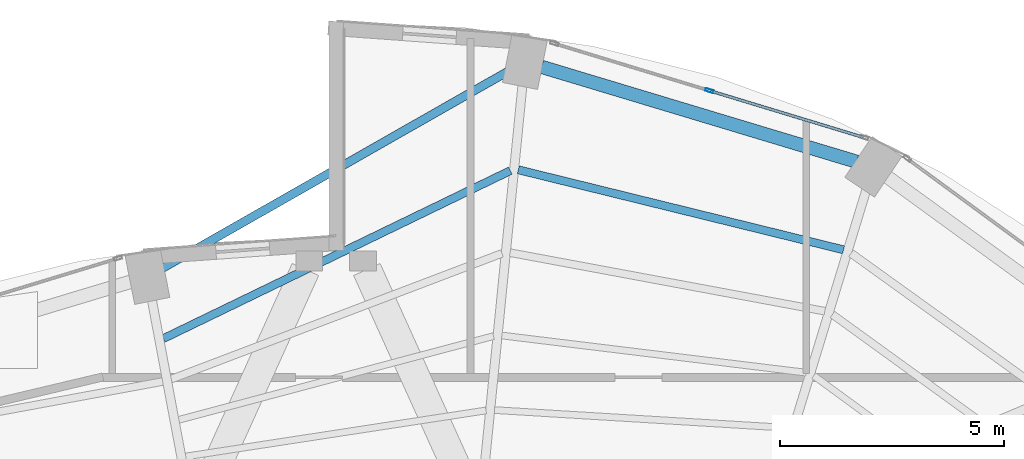
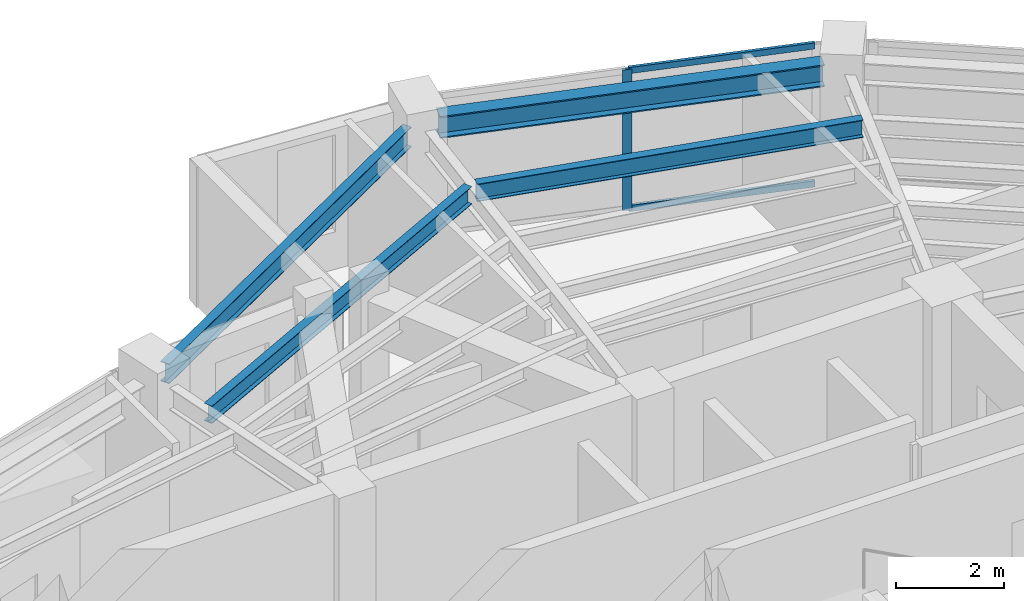
# One storey, part 16 of 22: 4 beams, 3 members, 1 element without a shape of its own.
"""IFC4 building model written with IfcOpenShell, lengths in metres."""

from ifc_helpers import new_model, si_unit, direction, frame, origin, origin_2d, place, context, subcontext, project, spatial, hollow_rectangle, i_section, extrude, material, layer, layer_set, material_profile, profile_set, type_object, element, aggregate, save


model = new_model("IFC4")

# Units and contexts
model_context = context("Model", 3, precision=1e-05, world=origin(), true_north=direction((0.0, 1.0)))
body_context = subcontext(model_context, "Body", "Model", "MODEL_VIEW")
ifc_project = project(units=[si_unit("LENGTHUNIT", "METRE"), si_unit("AREAUNIT", "SQUARE_METRE"), si_unit("VOLUMEUNIT", "CUBIC_METRE"), si_unit("PLANEANGLEUNIT", "RADIAN"), si_unit("MASSUNIT", "GRAM", prefix="KILO")], contexts=[model_context])

# Site, building, storey
site_placement = place(None, origin())
site = spatial("IfcSite", under=ifc_project, at=site_placement, CompositionType="ELEMENT")
building_placement = place(site_placement, origin())
building = spatial("IfcBuilding", under=site, at=building_placement, Name="Lazwardi Medical Tower", CompositionType="ELEMENT")
storey_placement = place(building_placement, frame((0.0, 0.0, 242.256103515625)))
storey = spatial("IfcBuildingStorey", under=building, at=storey_placement, Name="L63", CompositionType="ELEMENT", Elevation=242.256103515625)

# Beams
ifc_material_1 = material(Name="Steel S355", Category="steel")
ifc_material_profile_1 = material_profile(ifc_material_1, i_section(OverallWidth=0.300048828125, OverallDepth=0.5, WebThickness=0.014404296875, FlangeThickness=0.028076171875, at=origin_2d()), Name="HEB 500")
ifc_profile_set_1 = profile_set([ifc_material_profile_1], Name="Steel S355")
beam_type_1 = type_object("IfcBeamType", Name="BM-RB-Z4", PredefinedType="BEAM", material=ifc_profile_set_1)
beam_1_placement = place(storey_placement, frame((47.626953125, 43.56640625, 2.947998046875), z_axis=(-0.957544311906, 0.288286126506, 0.0), x_axis=(-0.288286126506, -0.957544311906, 0.0)))
element("IfcBeam", 1, at=beam_1_placement, inside=storey, type_object=beam_type_1, Name="Ring beam RB-05 B07 L63", PredefinedType="BEAM", context=body_context, shape_type="SweptSolid", body=[
    extrude(i_section(OverallWidth=0.300048828125, OverallDepth=0.5, WebThickness=0.014404296875, FlangeThickness=0.028076171875, at=origin_2d()), origin(), (0.0, 0.0, 1.0), 7.3515625),
])
ifc_material_profile_2 = material_profile(ifc_material_1, i_section(OverallWidth=0.179931640625, OverallDepth=0.39990234375, WebThickness=0.008544921875, FlangeThickness=0.013427734375, at=origin_2d()), Name="IPE 400")
ifc_profile_set_2 = profile_set([ifc_material_profile_2], Name="Steel S355")
beam_type_2 = type_object("IfcBeamType", Name="BM-SJ-01", PredefinedType="JOIST", material=ifc_profile_set_2)
beam_2_placement = place(storey_placement, frame((47.334228515625, 41.59912109375, 2.997802734375), z_axis=(-0.971041669317, 0.238910184904, 0.0), x_axis=(-0.238910184904, -0.971041669317, 0.0)))
element("IfcBeam", 2, at=beam_2_placement, inside=storey, type_object=beam_type_2, Name="Secondary joist SJ-01 R1 B07 L63", PredefinedType="JOIST", context=body_context, shape_type="SweptSolid", body=[
    extrude(i_section(OverallWidth=0.179931640625, OverallDepth=0.39990234375, WebThickness=0.008544921875, FlangeThickness=0.013427734375, at=origin_2d()), origin(), (0.0, 0.0, 1.0), 7.482421875),
])
beam_3_placement = place(storey_placement, frame((39.89111328125, 43.367919921875, 2.997802734375), z_axis=(-0.900068885459, -0.435747635024, 0.0), x_axis=(0.435747635024, -0.900068885459, 0.0)))
element("IfcBeam", 3, at=beam_3_placement, inside=storey, type_object=beam_type_2, Name="Secondary joist SJ-01 R1 B08 L63", PredefinedType="JOIST", context=body_context, shape_type="SweptSolid", body=[
    extrude(i_section(OverallWidth=0.179931640625, OverallDepth=0.39990234375, WebThickness=0.008544921875, FlangeThickness=0.013427734375, at=origin_2d()), origin(), (0.0, 0.0, 1.0), 8.612548828125),
])
ifc_material_profile_3 = material_profile(ifc_material_1, i_section(OverallWidth=0.18994140625, OverallDepth=0.449951171875, WebThickness=0.009521484375, FlangeThickness=0.0146484375, at=origin_2d()), Name="IPE 450")
ifc_profile_set_3 = profile_set([ifc_material_profile_3], Name="Steel S355")
beam_type_3 = type_object("IfcBeamType", Name="BM-SP-01", PredefinedType="SPANDREL", material=ifc_profile_set_3)
beam_4_placement = place(storey_placement, frame((39.875, 45.605224609375, 2.972900390625), z_axis=(-0.868954808466, -0.494891443494, 0.0), x_axis=(0.494891443494, -0.868954808466, 0.0)))
element("IfcBeam", 4, at=beam_4_placement, inside=storey, type_object=beam_type_3, Name="Spandrel beam SP-01 B08 L63", PredefinedType="SPANDREL", context=body_context, shape_type="SweptSolid", body=[
    extrude(i_section(OverallWidth=0.18994140625, OverallDepth=0.449951171875, WebThickness=0.009521484375, FlangeThickness=0.0146484375, at=origin_2d()), origin(), (0.0, 0.0, 1.0), 8.918701171875),
])

# Curtain wall, members
ifc_material_2 = material(Name="Anodised bronze aluminium and solar control glazing", Category="aluminium")
ifc_layer = layer(ifc_material_2, 0.18994140625)
ifc_layer_set = layer_set([ifc_layer], Name="Anodised bronze aluminium and solar control glazing")
curtain_wall_type = type_object("IfcCurtainWallType", Name="CW-SYS-04", PredefinedType="NOTDEFINED", material=ifc_layer_set)
curtain_wall_placement = place(storey_placement, origin())
curtain_wall = element("IfcCurtainWall", 5, at=curtain_wall_placement, inside=storey, type_object=curtain_wall_type, Name="L63 Unitised bronze curtain wall CW-04", PredefinedType="NOTDEFINED")
ifc_material_3 = material(Name="Anodised bronze aluminium", Category="aluminium")
ifc_material_profile_4 = material_profile(ifc_material_3, hollow_rectangle(XDim=0.06494140625, YDim=0.179931640625, WallThickness=0.00390625, at=origin_2d()), Name="ALU-MULLION 180x65x4")
ifc_profile_set_4 = profile_set([ifc_material_profile_4], Name="Anodised bronze aluminium")
member_type_1 = type_object("IfcMemberType", Name="CW-MUL-03", PredefinedType="MULLION", material=ifc_profile_set_4)
member_1_placement = place(storey_placement, frame((44.33642578125, 45.1552734375, 0.0), z_axis=(0.0, 0.0, 1.0), x_axis=(-0.290581889515, -0.956850126972, 0.0)))
member_1 = element("IfcMember", 6, at=member_1_placement, type_object=member_type_1, Name="CW-04 mullion 2", PredefinedType="MULLION", context=body_context, shape_type="SweptSolid", body=[
    extrude(hollow_rectangle(XDim=0.06494140625, YDim=0.179931640625, WallThickness=0.00390625, at=origin_2d()), origin(), (0.0, 0.0, 1.0), 3.197998046875),
])
ifc_material_profile_5 = material_profile(ifc_material_3, hollow_rectangle(XDim=0.06494140625, YDim=0.139892578125, WallThickness=0.00341796875, at=origin_2d()), Name="ALU-TRANSOM 140x65x3.5")
ifc_profile_set_5 = profile_set([ifc_material_profile_5], Name="Anodised bronze aluminium")
member_type_2 = type_object("IfcMemberType", Name="CW-TRN-03", PredefinedType="USERDEFINED", material=ifc_profile_set_5)
member_2_placement = place(storey_placement, frame((47.7685546875, 44.113037109375, 0.032470703125), z_axis=(-0.956862505902, 0.290541124109, 0.0), x_axis=(-0.290541124109, -0.956862505902, 0.0)))
member_2 = element("IfcMember", 7, at=member_2_placement, type_object=member_type_2, Name="CW-04 transom 1.1", ObjectType="TRANSOM", PredefinedType="USERDEFINED", context=body_context, shape_type="SweptSolid", body=[
    extrude(hollow_rectangle(XDim=0.06494140625, YDim=0.139892578125, WallThickness=0.00341796875, at=origin_2d()), origin(), (0.0, 0.0, 1.0), 3.554443359375),
])
member_3_placement = place(storey_placement, frame((47.7685546875, 44.113037109375, 3.165283203125), z_axis=(-0.956862505902, 0.290541124109, 0.0), x_axis=(-0.290541124109, -0.956862505902, 0.0)))
member_3 = element("IfcMember", 8, at=member_3_placement, type_object=member_type_2, Name="CW-04 transom 1.2", ObjectType="TRANSOM", PredefinedType="USERDEFINED", context=body_context, shape_type="SweptSolid", body=[
    extrude(hollow_rectangle(XDim=0.06494140625, YDim=0.139892578125, WallThickness=0.00341796875, at=origin_2d()), origin(), (0.0, 0.0, 1.0), 3.554443359375),
])
aggregate(curtain_wall, [member_1, member_2, member_3])

save(model, "model.ifc")
